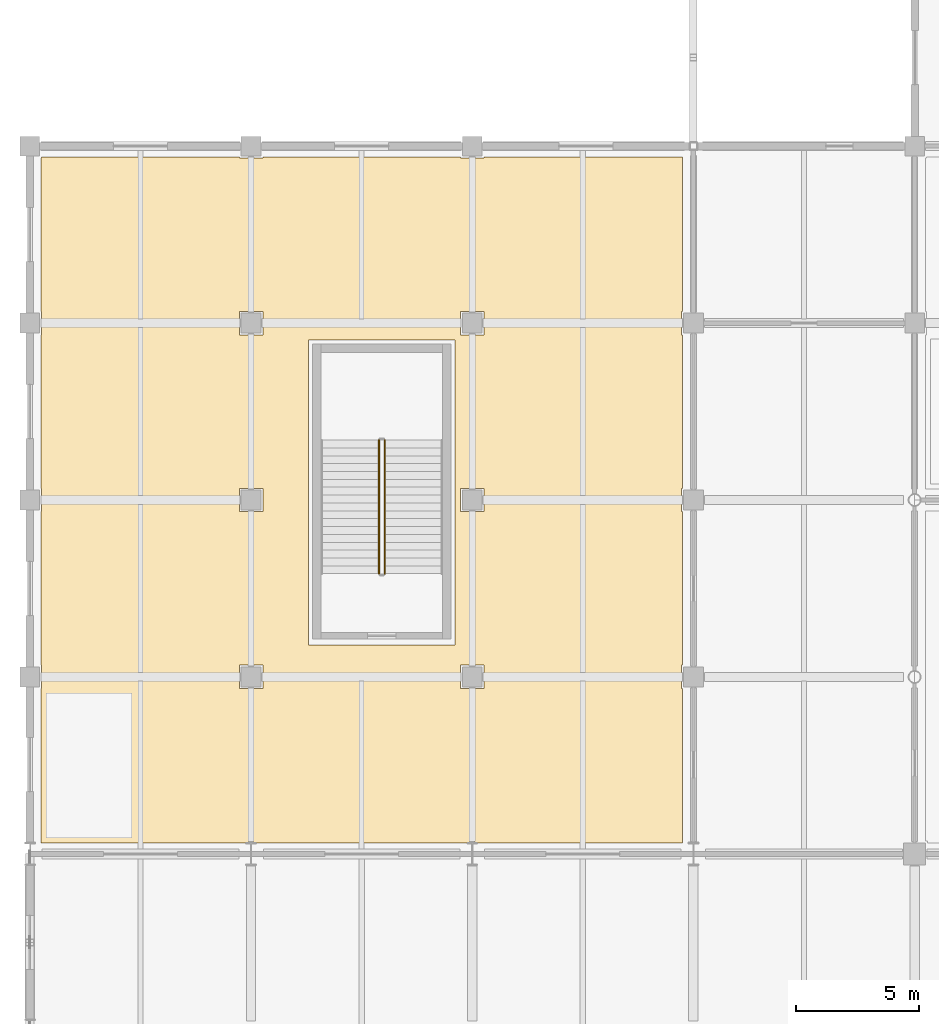
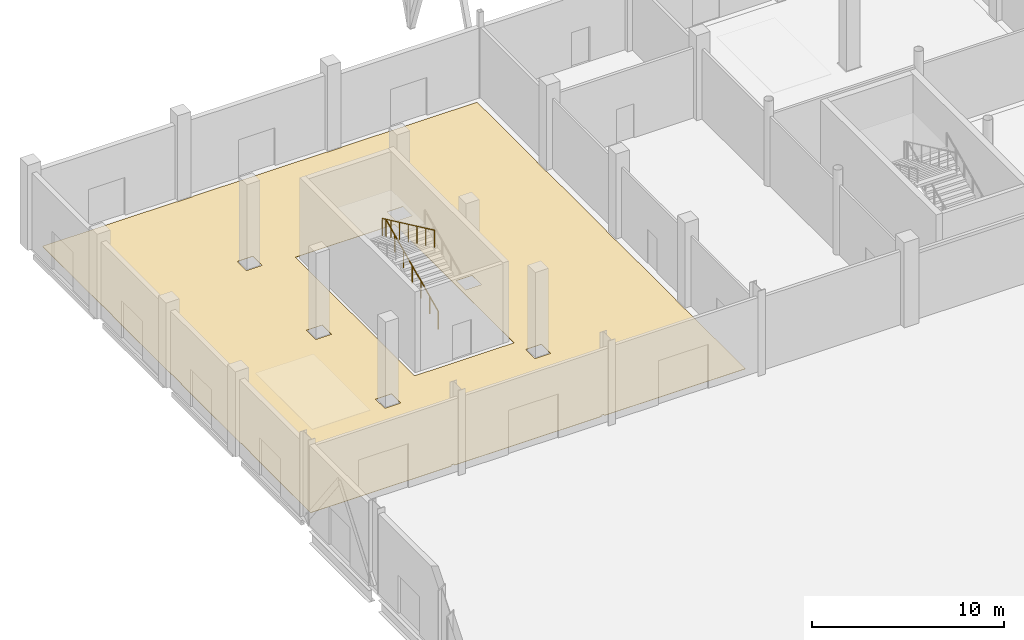
# One storey, part 110 of 137: 2 railings, 1 covering.
"""IFC4 building model written with IfcOpenShell, lengths in metres."""

from ifc_helpers import new_model, si_unit, direction, frame, origin, origin_2d, place, context, subcontext, project, spatial, polyline, circle, outline, extrude, material, layer, layer_set, type_object, element, save


model = new_model("IFC4")

# Units and contexts
model_context = context("Model", 3, precision=1e-05, world=origin(), true_north=direction((0.0, 1.0)))
body_context = subcontext(model_context, "Body", "Model", "MODEL_VIEW")
ifc_project = project(units=[si_unit("LENGTHUNIT", "METRE"), si_unit("AREAUNIT", "SQUARE_METRE"), si_unit("VOLUMEUNIT", "CUBIC_METRE"), si_unit("PLANEANGLEUNIT", "RADIAN"), si_unit("MASSUNIT", "GRAM", prefix="KILO")], contexts=[model_context])

# Site, building, storey
site_placement = place(None, origin())
site = spatial("IfcSite", under=ifc_project, at=site_placement, CompositionType="ELEMENT")
building_placement = place(site_placement, origin())
building = spatial("IfcBuilding", under=site, at=building_placement, Name="Celestram Park Convention Centre", CompositionType="ELEMENT")
storey_placement = place(building_placement, origin())
storey = spatial("IfcBuildingStorey", under=building, at=storey_placement, Name="L00", CompositionType="ELEMENT", Elevation=0.0)

# Covering
ifc_material_1 = material(Name="Polished Lakefront Aggregate Terrazzo Flooring", Category="concrete")
ifc_layer_1 = layer(ifc_material_1, 0.02001953125)
ifc_layer_set_1 = layer_set([ifc_layer_1], Name="Polished Lakefront Aggregate Terrazzo Flooring")
covering_type = type_object("IfcCoveringType", Name="ARC-COV-FLR020", PredefinedType="FLOORING", material=ifc_layer_set_1)
covering_placement = place(storey_placement, origin())
element("IfcCovering", 1, at=covering_placement, inside=storey, type_object=covering_type, Name="Delegate Accreditation & Registration Hall terrazzo flooring", PredefinedType="FLOORING", context=body_context, shape_type="SweptSolid", body=[
    extrude(outline(polyline([(8.52197265625, 136.35009765625), (8.52197265625, 136.322021484375), (9.47802734375, 136.322021484375), (9.47802734375, 136.35009765625), (17.52197265625, 136.35009765625), (17.52197265625, 136.322021484375), (18.47802734375, 136.322021484375), (18.47802734375, 136.35009765625), (26.550048828125, 136.35009765625), (26.550048828125, 130.077880859375), (26.52197265625, 130.077880859375), (26.52197265625, 129.1220703125), (26.550048828125, 129.1220703125), (26.550048828125, 122.8779296875), (26.52197265625, 122.8779296875), (26.52197265625, 121.922119140625), (26.550048828125, 121.922119140625), (26.550048828125, 115.677978515625), (26.52197265625, 115.677978515625), (26.52197265625, 114.721923828125), (26.550048828125, 114.721923828125), (26.550048828125, 108.449951171875), (18.090087890625, 108.449951171875), (18.090087890625, 108.5439453125), (17.909912109375, 108.5439453125), (17.909912109375, 108.449951171875), (9.090087890625, 108.449951171875), (9.090087890625, 108.5439453125), (8.909912109375, 108.5439453125), (8.909912109375, 108.449951171875), (0.449951171875, 108.449951171875), (0.449951171875, 114.721923828125), (0.47802734375, 114.721923828125), (0.47802734375, 115.677978515625), (0.449951171875, 115.677978515625), (0.449951171875, 121.922119140625), (0.47802734375, 121.922119140625), (0.47802734375, 122.8779296875), (0.449951171875, 122.8779296875), (0.449951171875, 129.1220703125), (0.47802734375, 129.1220703125), (0.47802734375, 130.077880859375), (0.449951171875, 130.077880859375), (0.449951171875, 136.322021484375), (0.47802734375, 136.322021484375), (0.47802734375, 136.35009765625), (8.52197265625, 136.35009765625)]), holes=[polyline([(17.300048828125, 128.89990234375), (11.340087890625, 128.89990234375), (11.340087890625, 116.5), (17.300048828125, 116.5), (17.300048828125, 128.89990234375)]), polyline([(9.47802734375, 114.721923828125), (9.47802734375, 115.677978515625), (8.52197265625, 115.677978515625), (8.52197265625, 114.721923828125), (9.47802734375, 114.721923828125)]), polyline([(18.47802734375, 114.721923828125), (18.47802734375, 115.677978515625), (17.52197265625, 115.677978515625), (17.52197265625, 114.721923828125), (18.47802734375, 114.721923828125)]), polyline([(18.47802734375, 122.8779296875), (17.52197265625, 122.8779296875), (17.52197265625, 121.922119140625), (18.47802734375, 121.922119140625), (18.47802734375, 122.8779296875)]), polyline([(9.47802734375, 121.922119140625), (9.47802734375, 122.8779296875), (8.52197265625, 122.8779296875), (8.52197265625, 121.922119140625), (9.47802734375, 121.922119140625)]), polyline([(18.47802734375, 130.077880859375), (17.52197265625, 130.077880859375), (17.52197265625, 129.1220703125), (18.47802734375, 129.1220703125), (18.47802734375, 130.077880859375)]), polyline([(9.47802734375, 129.1220703125), (9.47802734375, 130.077880859375), (8.52197265625, 130.077880859375), (8.52197265625, 129.1220703125), (9.47802734375, 129.1220703125)])]), origin(), (0.0, 0.0, 1.0), 0.02001953125),
])

# Railings
ifc_material_2 = material(Name="Stainless Steel AISI 316L & Laminated Glass", Category="steel")
ifc_layer_2 = layer(ifc_material_2, 0.06005859375)
ifc_layer_set_2 = layer_set([ifc_layer_2], Name="Stainless Steel AISI 316L & Laminated Glass")
railing_type = type_object("IfcRailingType", Name="ARC-RL-GRD1120", PredefinedType="GUARDRAIL", material=ifc_layer_set_2)
railing_1_placement = place(storey_placement, frame((14.43603515625, 119.39990234375, 0.14990234375)))
element("IfcRailing", 2, at=railing_1_placement, inside=storey, type_object=railing_type, Name="L00 ST-15 stair guard 1", PredefinedType="GUARDRAIL", context=body_context, shape_type="SweptSolid", body=[
    extrude(circle(Radius=0.02392578125, at=origin_2d()), frame((0.0, 0.0, 1.09619140625), z_axis=(0.0, 0.905461375974, 0.424428670827), x_axis=(-1.0, 0.0, 0.0)), (0.0, 0.0, 1.0), 6.00830078125),
    extrude(circle(Radius=0.02099609375, at=origin_2d()), origin(), (0.0, 0.0, 1.0), 1.072021484375),
    extrude(circle(Radius=0.02099609375, at=origin_2d()), frame((0.0, 0.90673828125, 0.425048828125)), (0.0, 0.0, 1.0), 1.072021484375),
    extrude(circle(Radius=0.02099609375, at=origin_2d()), frame((0.0, 1.8134765625, 0.85009765625)), (0.0, 0.0, 1.0), 1.072021484375),
    extrude(circle(Radius=0.02099609375, at=origin_2d()), frame((0.0, 2.72021484375, 1.27490234375)), (0.0, 0.0, 1.0), 1.072021484375),
    extrude(circle(Radius=0.02099609375, at=origin_2d()), frame((0.0, 3.626708984375, 1.699951171875)), (0.0, 0.0, 1.0), 1.072021484375),
    extrude(circle(Radius=0.02099609375, at=origin_2d()), frame((0.0, 4.533447265625, 2.125)), (0.0, 0.0, 1.0), 1.072021484375),
    extrude(circle(Radius=0.02099609375, at=origin_2d()), frame((0.0, 5.440185546875, 2.550048828125)), (0.0, 0.0, 1.0), 1.072021484375),
])
railing_2_placement = place(storey_placement, frame((14.2041015625, 124.840087890625, 2.85009765625)))
element("IfcRailing", 3, at=railing_2_placement, inside=storey, type_object=railing_type, Name="L00 ST-15 stair guard 3", PredefinedType="GUARDRAIL", context=body_context, shape_type="SweptSolid", body=[
    extrude(circle(Radius=0.02392578125, at=origin_2d()), frame((0.0, 0.0, 1.09619140625), z_axis=(0.0, -0.90547699167, 0.424395355248), x_axis=(1.0, 0.0, 0.0)), (0.0, 0.0, 1.0), 6.008056640625),
    extrude(circle(Radius=0.02099609375, at=origin_2d()), origin(), (0.0, 0.0, 1.0), 1.072021484375),
    extrude(circle(Radius=0.02099609375, at=origin_2d()), frame((0.0, -0.90673828125, 0.425048828125)), (0.0, 0.0, 1.0), 1.072021484375),
    extrude(circle(Radius=0.02099609375, at=origin_2d()), frame((0.0, -1.8134765625, 0.849853515625)), (0.0, 0.0, 1.0), 1.072021484375),
    extrude(circle(Radius=0.02099609375, at=origin_2d()), frame((0.0, -2.72021484375, 1.27490234375)), (0.0, 0.0, 1.0), 1.072021484375),
    extrude(circle(Radius=0.02099609375, at=origin_2d()), frame((0.0, -3.626708984375, 1.699951171875)), (0.0, 0.0, 1.0), 1.072021484375),
    extrude(circle(Radius=0.02099609375, at=origin_2d()), frame((0.0, -4.533447265625, 2.124755859375)), (0.0, 0.0, 1.0), 1.072021484375),
    extrude(circle(Radius=0.02099609375, at=origin_2d()), frame((0.0, -5.440185546875, 2.5498046875)), (0.0, 0.0, 1.0), 1.072021484375),
])

save(model, "model.ifc")
